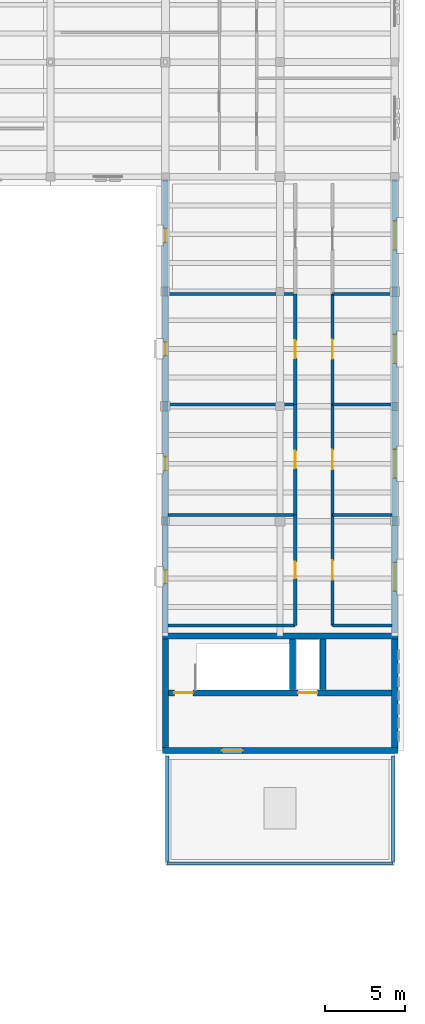
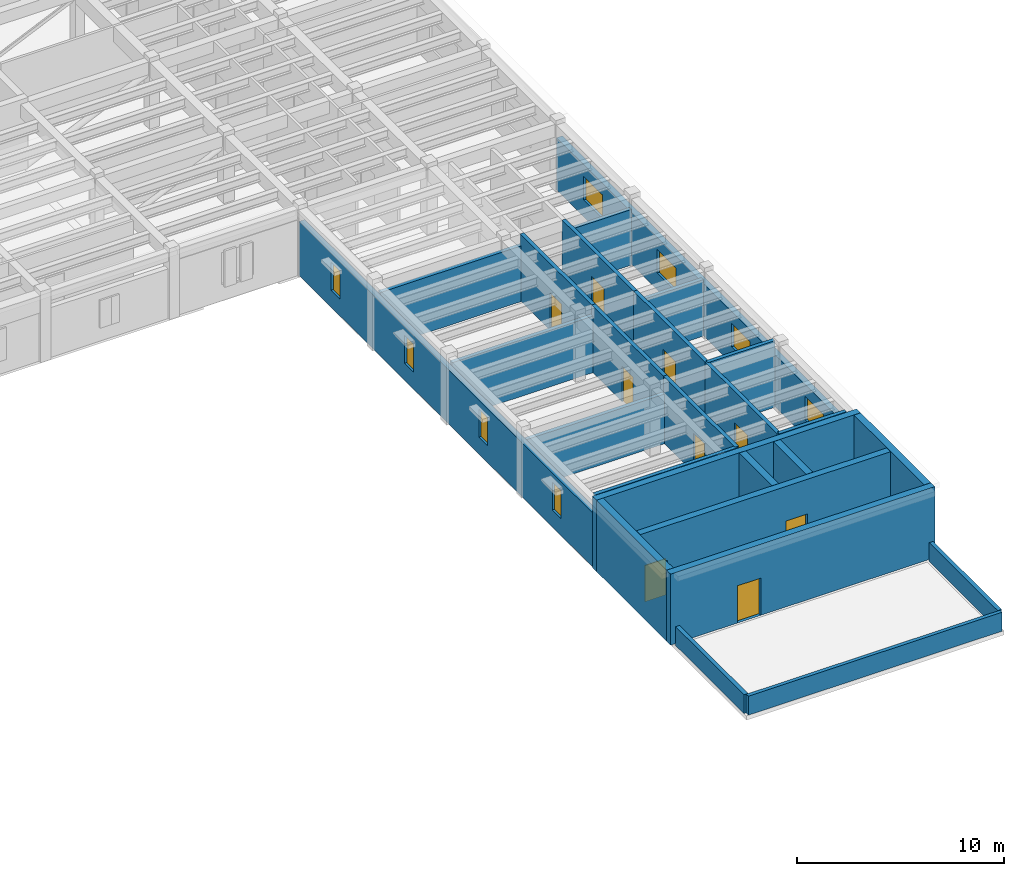
# One storey, part 17 of 27: 26 walls, 9 doors, 8 windows, 17 openings.
"""IFC4 building model written with IfcOpenShell, lengths in metres."""

import ifcopenshell
import ifcopenshell.guid

model = None  # the IFC model being written
_history = None  # IfcOwnerHistory: only IFC2X3 demands one
_inside = {}  # id of a spatial element -> (the spatial element, [elements in it])
_under = {}  # id of a project, library or spatial element -> (it, [spatial elements below it])
_declared = {}  # id of a project -> (the project, [libraries it declares])
_typed = {}  # id of a type object -> (the type object, [elements of that type])
_made_of = {}  # id of a material, layer set ... -> (it, [elements and type objects made of it])


def new_model(schema):
    """Start an empty IFC model of exactly this schema.

    Asked for "IFC4X3", IfcOpenShell would pick the latest addendum, in which some entities
    have other attributes; the version numbers below select the first issue.
    IFC2X3 requires an IfcOwnerHistory on every rooted entity: one is made here for all.
    """
    global model, _history
    if schema == "IFC4X3":
        model = ifcopenshell.file(schema_version=(4, 3, 0, 0))
    else:
        model = ifcopenshell.file(schema=schema)
    _inside.clear()
    _under.clear()
    _declared.clear()
    _typed.clear()
    _made_of.clear()
    _history = None
    if model.schema == "IFC2X3":
        org = make("IfcOrganization", Name="unknown")
        user = make(
            "IfcPersonAndOrganization",
            ThePerson=make("IfcPerson", FamilyName="unknown"),
            TheOrganization=org,
        )
        app = make(
            "IfcApplication",
            ApplicationDeveloper=org,
            Version="unknown",
            ApplicationFullName="unknown",
            ApplicationIdentifier="unknown",
        )
        _history = make(
            "IfcOwnerHistory",
            OwningUser=user,
            OwningApplication=app,
            ChangeAction="ADDED",
            CreationDate=0,
        )
    return model


def make(cls, **values):
    """One entity of the class cls with the attributes given. An attribute that is None is left unset."""
    return model.create_entity(
        cls, **{name: value for name, value in values.items() if value is not None}
    )


def rooted(cls, **values):
    """An entity with a GlobalId (a new one), such as an element, a storey or a relation."""
    return make(cls, GlobalId=ifcopenshell.guid.new(), OwnerHistory=_history, **values)


def si_unit(unit_type, name, prefix=None):
    """IfcSIUnit, for example si_unit("LENGTHUNIT", "METRE", prefix="MILLI")."""
    return make("IfcSIUnit", UnitType=unit_type, Prefix=prefix, Name=name)


def assignment(units):
    """IfcUnitAssignment: the units of a project."""
    return None if units is None else make("IfcUnitAssignment", Units=units)


def point(xyz):
    """IfcCartesianPoint."""
    return None if xyz is None else make("IfcCartesianPoint", Coordinates=xyz)


def direction(xyz):
    """IfcDirection."""
    return None if xyz is None else make("IfcDirection", DirectionRatios=xyz)


def frame(location, z_axis=None, x_axis=None):
    """IfcAxis2Placement3D, a coordinate frame: its origin and axes. An axis left out is left unset."""
    return make(
        "IfcAxis2Placement3D",
        Location=point(location),
        Axis=direction(z_axis),
        RefDirection=direction(x_axis),
    )


def frame_2d(location, x_axis=None):
    """IfcAxis2Placement2D, a coordinate frame in the plane: its origin and x axis."""
    return make(
        "IfcAxis2Placement2D", Location=point(location), RefDirection=direction(x_axis)
    )


def origin():
    """The frame at (0, 0, 0) with its axes left unset."""
    return frame((0.0, 0.0, 0.0))


def place(relative_to, where):
    """IfcLocalPlacement: puts the frame where relative to a parent placement (None: the world)."""
    return make(
        "IfcLocalPlacement", PlacementRelTo=relative_to, RelativePlacement=where
    )


def context(
    kind, dimensions, precision=None, world=None, true_north=None, identifier=None
):
    """IfcGeometricRepresentationContext, for example the 3D "Model" context."""
    return make(
        "IfcGeometricRepresentationContext",
        ContextIdentifier=identifier,
        ContextType=kind,
        CoordinateSpaceDimension=dimensions,
        Precision=precision,
        WorldCoordinateSystem=world,
        TrueNorth=true_north,
    )


def subcontext(parent, identifier, kind, view, scale=None):
    """IfcGeometricRepresentationSubContext, for example "Body" below "Model"."""
    return make(
        "IfcGeometricRepresentationSubContext",
        ContextIdentifier=identifier,
        ContextType=kind,
        ParentContext=parent,
        TargetScale=scale,
        TargetView=view,
    )


def project(units=None, contexts=None):
    """IfcProject with its units and contexts."""
    return rooted(
        "IfcProject",
        Name="project",
        RepresentationContexts=contexts,
        UnitsInContext=assignment(units),
    )


def spatial(cls, under=None, at=None, **own):
    """A site, building, storey or space (cls), placed at a placement, below another one or the project."""
    s = rooted(cls, ObjectPlacement=at, **own)
    if under is not None:
        _under.setdefault(under.id(), (under, []))[1].append(s)
    return s


def profile(cls, at=None, kind="AREA", **sizes):
    """A parametric profile (cls). Its sizes go by their IFC names, for example OverallWidth=200.0."""
    return make(cls, ProfileType=kind, Position=at, **sizes)


def rectangle(**sizes):
    """IfcRectangleProfileDef."""
    return profile("IfcRectangleProfileDef", **sizes)


def extrude(swept, where, along, depth):
    """IfcExtrudedAreaSolid: the profile swept, set in the frame where, extruded along a direction by depth."""
    return make(
        "IfcExtrudedAreaSolid",
        SweptArea=swept,
        Position=where,
        ExtrudedDirection=direction(along),
        Depth=depth,
    )


def shape(context_of_items, identifier, shape_type, items):
    """IfcShapeRepresentation: the items that make up one representation, for example the "Body"."""
    return make(
        "IfcShapeRepresentation",
        ContextOfItems=context_of_items,
        RepresentationIdentifier=identifier,
        RepresentationType=shape_type,
        Items=items,
    )


def material(Name=None, Category=None):
    """IfcMaterial."""
    return make("IfcMaterial", Name=Name, Category=Category)


def layer(
    of_material, thickness, ventilated=None, Name=None, Category=None, Priority=None
):
    """IfcMaterialLayer: one layer of a wall or slab, of a material (None: an air gap)."""
    return make(
        "IfcMaterialLayer",
        Material=of_material,
        LayerThickness=thickness,
        IsVentilated=ventilated,
        Name=Name,
        Category=Category,
        Priority=Priority,
    )


def layer_set(layers, Name=None):
    """IfcMaterialLayerSet."""
    return make("IfcMaterialLayerSet", MaterialLayers=layers, LayerSetName=Name)


def made_of(thing, what):
    """Note that an element or type object is made of a material, layer set ...; save() writes the relation."""
    if what is not None:
        _made_of.setdefault(what.id(), (what, []))[1].append(thing)
    return thing


def type_object(cls, material=None, **own):
    """A type object (cls), such as IfcWallType, which elements share."""
    return made_of(rooted(cls, **own), material)


def element(
    cls,
    number,
    at=None,
    inside=None,
    cuts=None,
    type_object=None,
    material=None,
    context=None,
    identifier="Body",
    shape_type=None,
    held_by="IfcProductDefinitionShape",
    body=None,
    shapes=None,
    **own,
):
    """One element of the class cls, such as IfcWall. Its Tag is "e" and its number.

    at: its placement. inside: the storey or other place that contains it. cuts: it is an
    opening in that element (IfcRelVoidsElement). A single representation is given by context,
    identifier, shape_type and body (its items); several are given by shapes. held_by: the class
    of the entity that holds the representations. save() writes the other relations.
    """
    e = rooted(cls, Tag="e%d" % number, ObjectPlacement=at, **own)
    if body is not None:
        shapes = [shape(context, identifier, shape_type, body)]
    if shapes is not None:
        e.Representation = make(held_by, Representations=shapes)
    if inside is not None:
        _inside.setdefault(inside.id(), (inside, []))[1].append(e)
    if cuts is not None:
        rooted(
            "IfcRelVoidsElement", RelatingBuildingElement=cuts, RelatedOpeningElement=e
        )
    if type_object is not None:
        _typed.setdefault(type_object.id(), (type_object, []))[1].append(e)
    return made_of(e, material)


def fill(opening, filler):
    """IfcRelFillsElement: the door or window that sits in an opening."""
    return rooted(
        "IfcRelFillsElement",
        RelatingOpeningElement=opening,
        RelatedBuildingElement=filler,
    )


def aggregate(whole, parts):
    """IfcRelAggregates: a whole, such as a stair, and the parts it consists of."""
    return rooted("IfcRelAggregates", RelatingObject=whole, RelatedObjects=parts)


def save(model, path):
    """Write the relations noted so far, then the file.

    IfcRelAggregates (storeys below a building ...), IfcRelContainedInSpatialStructure (elements
    in a storey), IfcRelDefinesByType, IfcRelAssociatesMaterial and IfcRelDeclares: one each for
    every whole, place, type object, material and project.
    """
    for whole, parts in _under.values():
        aggregate(whole, parts)
    for where, things in _inside.values():
        rooted(
            "IfcRelContainedInSpatialStructure",
            RelatedElements=things,
            RelatingStructure=where,
        )
    for kind, things in _typed.values():
        rooted("IfcRelDefinesByType", RelatedObjects=things, RelatingType=kind)
    for what, things in _made_of.values():
        rooted("IfcRelAssociatesMaterial", RelatedObjects=things, RelatingMaterial=what)
    for by, libraries in _declared.values():
        rooted("IfcRelDeclares", RelatingContext=by, RelatedDefinitions=libraries)
    model.write(path)


model = new_model("IFC4")

# Units and contexts
model_context = context("Model", 3, precision=1e-05, world=origin(), true_north=direction((0.0, 1.0)))
body_context = subcontext(model_context, "Body", "Model", "MODEL_VIEW")
ifc_project = project(units=[si_unit("LENGTHUNIT", "METRE"), si_unit("AREAUNIT", "SQUARE_METRE"), si_unit("VOLUMEUNIT", "CUBIC_METRE"), si_unit("PLANEANGLEUNIT", "RADIAN"), si_unit("MASSUNIT", "GRAM", prefix="KILO")], contexts=[model_context])

# Site, building, storey
site_placement = place(None, origin())
site = spatial("IfcSite", under=ifc_project, at=site_placement, CompositionType="ELEMENT")
building_placement = place(site_placement, origin())
building = spatial("IfcBuilding", under=site, at=building_placement, Name="Mithqara Police Headquarters", CompositionType="ELEMENT")
storey_placement = place(building_placement, frame((0.0, 0.0, 18.0)))
storey = spatial("IfcBuildingStorey", under=building, at=storey_placement, Name="L04", CompositionType="ELEMENT", Elevation=18.0)

# Wall, openings, windows
ifc_material_1 = material(Name="Limestone ashlar masonry, 45 MPa", Category="masonry")
ifc_layer_1 = layer(ifc_material_1, 0.320068359375, Name="Limestone ashlar masonry, 45 MPa")
ifc_layer_set_1 = layer_set([ifc_layer_1], Name="Limestone ashlar masonry, 45 MPa")
wall_type_1 = type_object("IfcWallType", Name="EXT WALL LIMESTONE320", PredefinedType="SOLIDWALL", material=ifc_layer_set_1)
wall_1_placement = place(storey_placement, frame((151.800048828125, 78.43994140625, 0.0), z_axis=(0.0, 0.0, 1.0), x_axis=(0.0, -1.0, 0.0)))
wall_1 = element("IfcWall", 1, at=wall_1_placement, inside=storey, type_object=wall_type_1, Name="L04 Exterior Wall 1.1", PredefinedType="SOLIDWALL", context=body_context, shape_type="SweptSolid", body=[
    extrude(rectangle(XDim=28.449951171875, YDim=0.320068359375, at=frame_2d((14.22509765625, 0.0))), origin(), (0.0, 0.0, 1.0), 3.18994140625),
])
opening_1_placement = place(wall_1_placement, frame((24.52001953125, 0.0, 1.0)))
opening_1 = element("IfcOpeningElement", 2, at=opening_1_placement, cuts=wall_1, Name="Opening W-02", PredefinedType="OPENING", context=body_context, shape_type="SweptSolid", body=[
    extrude(rectangle(XDim=0.85009765625, YDim=1.64990234375, at=frame_2d((0.425048828125, 0.824951171875))), frame((0.0, 0.169921875, 0.0), z_axis=(0.0, -1.0, 0.0), x_axis=(1.0, 0.0, 0.0)), (0.0, 0.0, 1.0), 0.340087890625),
])
opening_2_placement = place(wall_1_placement, frame((17.4150390625, 0.0, 1.0)))
opening_2 = element("IfcOpeningElement", 3, at=opening_2_placement, cuts=wall_1, Name="Opening W-02", PredefinedType="OPENING", context=body_context, shape_type="SweptSolid", body=[
    extrude(rectangle(XDim=0.85009765625, YDim=1.64990234375, at=frame_2d((0.425048828125, 0.824951171875))), frame((0.0, 0.169921875, 0.0), z_axis=(0.0, -1.0, 0.0), x_axis=(1.0, 0.0, 0.0)), (0.0, 0.0, 1.0), 0.340087890625),
])
opening_3_placement = place(wall_1_placement, frame((10.215087890625, 0.0, 1.0)))
opening_3 = element("IfcOpeningElement", 4, at=opening_3_placement, cuts=wall_1, Name="Opening W-02", PredefinedType="OPENING", context=body_context, shape_type="SweptSolid", body=[
    extrude(rectangle(XDim=0.85009765625, YDim=1.64990234375, at=frame_2d((0.425048828125, 0.824951171875))), frame((0.0, 0.169921875, 0.0), z_axis=(0.0, -1.0, 0.0), x_axis=(1.0, 0.0, 0.0)), (0.0, 0.0, 1.0), 0.340087890625),
])
opening_4_placement = place(wall_1_placement, frame((3.094970703125, 0.0, 1.0)))
opening_4 = element("IfcOpeningElement", 5, at=opening_4_placement, cuts=wall_1, Name="Opening W-02", PredefinedType="OPENING", context=body_context, shape_type="SweptSolid", body=[
    extrude(rectangle(XDim=0.85009765625, YDim=1.64990234375, at=frame_2d((0.425048828125, 0.824951171875))), frame((0.0, 0.169921875, 0.0), z_axis=(0.0, -1.0, 0.0), x_axis=(1.0, 0.0, 0.0)), (0.0, 0.0, 1.0), 0.340087890625),
])
ifc_material_2 = material(Name="Spectrally selective double low-e glass", Category="glass")
window_type_1 = type_object("IfcWindowType", Name="WINDOW 850X1650", PartitioningType="SINGLE_PANEL", PredefinedType="WINDOW", material=ifc_material_2)
window_1_placement = place(opening_1_placement, origin())
window_1 = element("IfcWindow", 6, at=window_1_placement, inside=storey, type_object=window_type_1, Name="L04 Deep-Set Punched Window 1.1", OverallHeight=1.64990234375, OverallWidth=0.85009765625, PartitioningType="SINGLE_PANEL", PredefinedType="WINDOW", context=body_context, shape_type="SweptSolid", body=[
    extrude(rectangle(XDim=0.85009765625, YDim=1.64990234375, at=frame_2d((0.425048828125, 0.824951171875))), frame((0.0, 0.030029296875, 0.0), z_axis=(0.0, -1.0, 0.0), x_axis=(1.0, 0.0, 0.0)), (0.0, 0.0, 1.0), 0.06005859375),
])
fill(opening_1, window_1)
window_2_placement = place(opening_2_placement, origin())
window_2 = element("IfcWindow", 7, at=window_2_placement, inside=storey, type_object=window_type_1, Name="L04 Deep-Set Punched Window 1.2", OverallHeight=1.64990234375, OverallWidth=0.85009765625, PartitioningType="SINGLE_PANEL", PredefinedType="WINDOW", context=body_context, shape_type="SweptSolid", body=[
    extrude(rectangle(XDim=0.85009765625, YDim=1.64990234375, at=frame_2d((0.425048828125, 0.824951171875))), frame((0.0, 0.030029296875, 0.0), z_axis=(0.0, -1.0, 0.0), x_axis=(1.0, 0.0, 0.0)), (0.0, 0.0, 1.0), 0.06005859375),
])
fill(opening_2, window_2)
window_3_placement = place(opening_3_placement, origin())
window_3 = element("IfcWindow", 8, at=window_3_placement, inside=storey, type_object=window_type_1, Name="L04 Deep-Set Punched Window 1.3", OverallHeight=1.64990234375, OverallWidth=0.85009765625, PartitioningType="SINGLE_PANEL", PredefinedType="WINDOW", context=body_context, shape_type="SweptSolid", body=[
    extrude(rectangle(XDim=0.85009765625, YDim=1.64990234375, at=frame_2d((0.425048828125, 0.824951171875))), frame((0.0, 0.030029296875, 0.0), z_axis=(0.0, -1.0, 0.0), x_axis=(1.0, 0.0, 0.0)), (0.0, 0.0, 1.0), 0.06005859375),
])
fill(opening_3, window_3)
window_4_placement = place(opening_4_placement, origin())
window_4 = element("IfcWindow", 9, at=window_4_placement, inside=storey, type_object=window_type_1, Name="L04 Deep-Set Punched Window 1.4", OverallHeight=1.64990234375, OverallWidth=0.85009765625, PartitioningType="SINGLE_PANEL", PredefinedType="WINDOW", context=body_context, shape_type="SweptSolid", body=[
    extrude(rectangle(XDim=0.85009765625, YDim=1.64990234375, at=frame_2d((0.425048828125, 0.824951171875))), frame((0.0, 0.030029296875, 0.0), z_axis=(0.0, -1.0, 0.0), x_axis=(1.0, 0.0, 0.0)), (0.0, 0.0, 1.0), 0.06005859375),
])
fill(opening_4, window_4)

wall_2_placement = place(storey_placement, frame((166.199951171875, 49.989990234375, 0.0), z_axis=(0.0, 0.0, 1.0), x_axis=(0.0, 1.0, 0.0)))
wall_2 = element("IfcWall", 10, at=wall_2_placement, inside=storey, type_object=wall_type_1, Name="L04 Exterior Wall 3.1", PredefinedType="SOLIDWALL", context=body_context, shape_type="SweptSolid", body=[
    extrude(rectangle(XDim=28.449951171875, YDim=0.320068359375, at=frame_2d((14.22509765625, 0.0))), origin(), (0.0, 0.0, 1.0), 3.090087890625),
])
opening_5_placement = place(wall_2_placement, frame((2.60498046875, 0.0, 1.0)))
opening_5 = element("IfcOpeningElement", 11, at=opening_5_placement, cuts=wall_2, Name="Opening W-31", PredefinedType="OPENING", context=body_context, shape_type="SweptSolid", body=[
    extrude(rectangle(XDim=1.800048828125, YDim=1.39990234375, at=frame_2d((0.89990234375, 0.699951171875))), frame((0.0, 0.169921875, 0.0), z_axis=(0.0, -1.0, 0.0), x_axis=(1.0, 0.0, 0.0)), (0.0, 0.0, 1.0), 0.340087890625),
])
opening_6_placement = place(wall_2_placement, frame((9.7099609375, 0.0, 1.0)))
opening_6 = element("IfcOpeningElement", 12, at=opening_6_placement, cuts=wall_2, Name="Opening W-31", PredefinedType="OPENING", context=body_context, shape_type="SweptSolid", body=[
    extrude(rectangle(XDim=1.800048828125, YDim=1.39990234375, at=frame_2d((0.89990234375, 0.699951171875))), frame((0.0, 0.169921875, 0.0), z_axis=(0.0, -1.0, 0.0), x_axis=(1.0, 0.0, 0.0)), (0.0, 0.0, 1.0), 0.340087890625),
])
opening_7_placement = place(wall_2_placement, frame((16.909912109375, 0.0, 1.0)))
opening_7 = element("IfcOpeningElement", 13, at=opening_7_placement, cuts=wall_2, Name="Opening W-31", PredefinedType="OPENING", context=body_context, shape_type="SweptSolid", body=[
    extrude(rectangle(XDim=1.800048828125, YDim=1.39990234375, at=frame_2d((0.89990234375, 0.699951171875))), frame((0.0, 0.169921875, 0.0), z_axis=(0.0, -1.0, 0.0), x_axis=(1.0, 0.0, 0.0)), (0.0, 0.0, 1.0), 0.340087890625),
])
opening_8_placement = place(wall_2_placement, frame((24.030029296875, 0.0, 1.0)))
opening_8 = element("IfcOpeningElement", 14, at=opening_8_placement, cuts=wall_2, Name="Opening W-31", PredefinedType="OPENING", context=body_context, shape_type="SweptSolid", body=[
    extrude(rectangle(XDim=1.800048828125, YDim=1.39990234375, at=frame_2d((0.89990234375, 0.699951171875))), frame((0.0, 0.169921875, 0.0), z_axis=(0.0, -1.0, 0.0), x_axis=(1.0, 0.0, 0.0)), (0.0, 0.0, 1.0), 0.340087890625),
])
window_type_2 = type_object("IfcWindowType", Name="WINDOW 1800X1400", PartitioningType="DOUBLE_PANEL_VERTICAL", PredefinedType="WINDOW", material=ifc_material_2)
window_5_placement = place(opening_5_placement, origin())
window_5 = element("IfcWindow", 15, at=window_5_placement, inside=storey, type_object=window_type_2, Name="L04 Deep-Set Punched Window 3.1", OverallHeight=1.39990234375, OverallWidth=1.800048828125, PartitioningType="SINGLE_PANEL", PredefinedType="WINDOW", context=body_context, shape_type="SweptSolid", body=[
    extrude(rectangle(XDim=1.800048828125, YDim=1.39990234375, at=frame_2d((0.89990234375, 0.699951171875))), frame((0.0, 0.030029296875, 0.0), z_axis=(0.0, -1.0, 0.0), x_axis=(1.0, 0.0, 0.0)), (0.0, 0.0, 1.0), 0.06005859375),
])
fill(opening_5, window_5)
window_6_placement = place(opening_6_placement, origin())
window_6 = element("IfcWindow", 16, at=window_6_placement, inside=storey, type_object=window_type_2, Name="L04 Deep-Set Punched Window 3.2", OverallHeight=1.39990234375, OverallWidth=1.800048828125, PartitioningType="SINGLE_PANEL", PredefinedType="WINDOW", context=body_context, shape_type="SweptSolid", body=[
    extrude(rectangle(XDim=1.800048828125, YDim=1.39990234375, at=frame_2d((0.89990234375, 0.699951171875))), frame((0.0, 0.030029296875, 0.0), z_axis=(0.0, -1.0, 0.0), x_axis=(1.0, 0.0, 0.0)), (0.0, 0.0, 1.0), 0.06005859375),
])
fill(opening_6, window_6)
window_7_placement = place(opening_7_placement, origin())
window_7 = element("IfcWindow", 17, at=window_7_placement, inside=storey, type_object=window_type_2, Name="L04 Deep-Set Punched Window 3.3", OverallHeight=1.39990234375, OverallWidth=1.800048828125, PartitioningType="SINGLE_PANEL", PredefinedType="WINDOW", context=body_context, shape_type="SweptSolid", body=[
    extrude(rectangle(XDim=1.800048828125, YDim=1.39990234375, at=frame_2d((0.89990234375, 0.699951171875))), frame((0.0, 0.030029296875, 0.0), z_axis=(0.0, -1.0, 0.0), x_axis=(1.0, 0.0, 0.0)), (0.0, 0.0, 1.0), 0.06005859375),
])
fill(opening_7, window_7)
window_8_placement = place(opening_8_placement, origin())
window_8 = element("IfcWindow", 18, at=window_8_placement, inside=storey, type_object=window_type_2, Name="L04 Deep-Set Punched Window 3.4", OverallHeight=1.39990234375, OverallWidth=1.800048828125, PartitioningType="SINGLE_PANEL", PredefinedType="WINDOW", context=body_context, shape_type="SweptSolid", body=[
    extrude(rectangle(XDim=1.800048828125, YDim=1.39990234375, at=frame_2d((0.89990234375, 0.699951171875))), frame((0.0, 0.030029296875, 0.0), z_axis=(0.0, -1.0, 0.0), x_axis=(1.0, 0.0, 0.0)), (0.0, 0.0, 1.0), 0.06005859375),
])
fill(opening_8, window_8)

# Walls
ifc_layer_2 = layer(ifc_material_1, 0.199951171875, Name="Limestone ashlar masonry, 45 MPa")
ifc_layer_set_2 = layer_set([ifc_layer_2], Name="Limestone ashlar masonry, 45 MPa")
wall_type_2 = type_object("IfcWallType", Name="PARAPET WALL 200", PredefinedType="PARAPET", material=ifc_layer_set_2)
wall_3_placement = place(storey_placement, frame((166.090087890625, 35.510009765625, 0.0), z_axis=(0.0, 0.0, 1.0), x_axis=(-1.0, 0.0, 0.0)))
element("IfcWall", 19, at=wall_3_placement, inside=storey, type_object=wall_type_2, Name="L04 Limestone Roof Parapet ROOF-L03-01-18", PredefinedType="PARAPET", context=body_context, shape_type="SweptSolid", body=[
    extrude(rectangle(XDim=14.18017578125, YDim=0.199951171875, at=frame_2d((7.090087890625, 0.0))), origin(), (0.0, 0.0, 1.0), 1.1201171875),
])
ifc_layer_3 = layer(ifc_material_1, 0.219970703125, Name="Limestone ashlar masonry, 45 MPa")
ifc_layer_set_3 = layer_set([ifc_layer_3], Name="Limestone ashlar masonry, 45 MPa")
wall_type_3 = type_object("IfcWallType", Name="PARAPET WALL 220", PredefinedType="PARAPET", material=ifc_layer_set_3)
for number, where, z_axis, x_axis, name in (
    (20, (166.090087890625, 42.260009765625, 0.0), (0.0, 0.0, 1.0), (0.0, -1.0, 0.0), "L04 Limestone Roof Parapet ROOF-L03-01-17"),
    (21, (151.909912109375, 35.6298828125, 0.0), (0.0, 0.0, 1.0), (0.0, 1.0, 0.0), "L04 Limestone Roof Parapet ROOF-L03-01-19"),
):
    element("IfcWall", number, at=place(storey_placement, frame(where, z_axis=z_axis, x_axis=x_axis)), inside=storey, type_object=wall_type_3, Name=name, PredefinedType="PARAPET", context=body_context, shape_type="SweptSolid", body=[
        extrude(rectangle(XDim=6.630126953125, YDim=0.219970703125, at=frame_2d((3.31494140625, 0.0))), origin(), (0.0, 0.0, 1.0), 1.1201171875),
    ])
ifc_material_3 = material(Name="Concrete C40/50", Category="concrete")
ifc_layer_4 = layer(ifc_material_3, 0.2099609375, Name="Concrete C40/50")
ifc_layer_set_4 = layer_set([ifc_layer_4], Name="Concrete C40/50")
wall_type_4 = type_object("IfcWallType", Name="PART WALL 210", PredefinedType="PARTITIONING", material=ifc_layer_set_4)
wall_4_placement = place(storey_placement, frame((151.97998046875, 50.449951171875, 0.0), z_axis=(0.0, 0.0, 1.0), x_axis=(1.0, 0.0, 0.0)))
element("IfcWall", 22, at=wall_4_placement, inside=storey, type_object=wall_type_4, Name="L04 Partition End Closure E0", PredefinedType="PARTITIONING", context=body_context, shape_type="SweptSolid", body=[
    extrude(rectangle(XDim=7.969970703125, YDim=0.2099609375, at=frame_2d((3.98486328125, 0.0))), origin(), (0.0, 0.0, 1.0), 3.93994140625),
])

# Wall, opening, door
wall_5_placement = place(storey_placement, frame((159.949951171875, 50.449951171875, 0.0), z_axis=(0.0, 0.0, 1.0), x_axis=(0.0, 1.0, 0.0)))
wall_5 = element("IfcWall", 23, at=wall_5_placement, inside=storey, type_object=wall_type_4, Name="L04 Corridor Wall Forensic Laboratory", PredefinedType="PARTITIONING", context=body_context, shape_type="SweptSolid", body=[
    extrude(rectangle(XDim=6.93310546875, YDim=0.2099609375, at=frame_2d((3.466552734375, 0.0))), origin(), (0.0, 0.0, 1.0), 3.93994140625),
])
opening_9_placement = place(wall_5_placement, frame((2.946533203125, 0.0, 0.0)))
opening_9 = element("IfcOpeningElement", 24, at=opening_9_placement, cuts=wall_5, Name="Opening D-09", PredefinedType="OPENING", context=body_context, shape_type="SweptSolid", body=[
    extrude(rectangle(XDim=1.0400390625, YDim=2.35009765625, at=frame_2d((0.52001953125, 1.175048828125))), frame((0.0, 0.114990234375, 0.0), z_axis=(0.0, -1.0, 0.0), x_axis=(1.0, 0.0, 0.0)), (0.0, 0.0, 1.0), 0.22998046875),
])
ifc_material_4 = material(Name="Acoustic solid-core timber leaf", Category="wood")
door_type_1 = type_object("IfcDoorType", Name="INT DOOR 1040X2350", OperationType="NOTDEFINED", PredefinedType="DOOR", material=ifc_material_4)
door_1_placement = place(opening_9_placement, frame((1.0400390625, 0.0, 0.0), z_axis=(0.0, 0.0, 1.0), x_axis=(-1.0, 0.0, 0.0)))
door_1 = element("IfcDoor", 25, at=door_1_placement, inside=storey, type_object=door_type_1, Name="Forensic Laboratory Entry Door", OperationType="SINGLE_SWING_RIGHT", OverallHeight=2.35009765625, OverallWidth=1.0400390625, PredefinedType="DOOR", context=body_context, shape_type="SweptSolid", body=[
    extrude(rectangle(XDim=1.0400390625, YDim=2.35009765625, at=frame_2d((0.52001953125, 1.175048828125))), frame((0.0, 0.02490234375, 0.0), z_axis=(0.0, -1.0, 0.0), x_axis=(1.0, 0.0, 0.0)), (0.0, 0.0, 1.0), 0.050048828125),
])
fill(opening_9, door_1)

# Wall
wall_6_placement = place(storey_placement, frame((151.97998046875, 57.383056640625, 0.0), z_axis=(0.0, 0.0, 1.0), x_axis=(1.0, 0.0, 0.0)))
element("IfcWall", 26, at=wall_6_placement, inside=storey, type_object=wall_type_4, Name="L04 Room Partition Forensic Laboratory", PredefinedType="PARTITIONING", context=body_context, shape_type="SweptSolid", body=[
    extrude(rectangle(XDim=7.969970703125, YDim=0.2099609375, at=frame_2d((3.98486328125, 0.0))), origin(), (0.0, 0.0, 1.0), 2.93994140625),
])

# Wall, opening, door
wall_7_placement = place(storey_placement, frame((159.949951171875, 57.383056640625, 0.0), z_axis=(0.0, 0.0, 1.0), x_axis=(0.0, 1.0, 0.0)))
wall_7 = element("IfcWall", 27, at=wall_7_placement, inside=storey, type_object=wall_type_4, Name="L04 Corridor Wall Forensic DNA Laboratory", PredefinedType="PARTITIONING", context=body_context, shape_type="SweptSolid", body=[
    extrude(rectangle(XDim=6.931884765625, YDim=0.2099609375, at=frame_2d((3.4658203125, 0.0))), origin(), (0.0, 0.0, 1.0), 3.93994140625),
])
opening_10_placement = place(wall_7_placement, frame((2.916015625, 0.0, 0.0)))
opening_10 = element("IfcOpeningElement", 28, at=opening_10_placement, cuts=wall_7, Name="Opening D-10", PredefinedType="OPENING", context=body_context, shape_type="SweptSolid", body=[
    extrude(rectangle(XDim=1.10009765625, YDim=2.10009765625, at=frame_2d((0.550048828125, 1.050048828125))), frame((0.0, 0.114990234375, 0.0), z_axis=(0.0, -1.0, 0.0), x_axis=(1.0, 0.0, 0.0)), (0.0, 0.0, 1.0), 0.22998046875),
])
door_type_2 = type_object("IfcDoorType", Name="INT DOOR 1100X2100", OperationType="NOTDEFINED", PredefinedType="DOOR", material=ifc_material_4)
door_2_placement = place(opening_10_placement, frame((1.10009765625, 0.0, 0.0), z_axis=(0.0, 0.0, 1.0), x_axis=(-1.0, 0.0, 0.0)))
door_2 = element("IfcDoor", 29, at=door_2_placement, inside=storey, type_object=door_type_2, Name="Forensic DNA Laboratory Entry Door", OperationType="SINGLE_SWING_LEFT", OverallHeight=2.10009765625, OverallWidth=1.10009765625, PredefinedType="DOOR", context=body_context, shape_type="SweptSolid", body=[
    extrude(rectangle(XDim=1.10009765625, YDim=2.10009765625, at=frame_2d((0.550048828125, 1.050048828125))), frame((0.0, 0.02490234375, 0.0), z_axis=(0.0, -1.0, 0.0), x_axis=(1.0, 0.0, 0.0)), (0.0, 0.0, 1.0), 0.050048828125),
])
fill(opening_10, door_2)

# Wall
wall_8_placement = place(storey_placement, frame((151.97998046875, 64.31494140625, 0.0), z_axis=(0.0, 0.0, 1.0), x_axis=(1.0, 0.0, 0.0)))
element("IfcWall", 30, at=wall_8_placement, inside=storey, type_object=wall_type_4, Name="L04 Room Partition Forensic DNA Laboratory", PredefinedType="PARTITIONING", context=body_context, shape_type="SweptSolid", body=[
    extrude(rectangle(XDim=7.969970703125, YDim=0.2099609375, at=frame_2d((3.98486328125, 0.0))), origin(), (0.0, 0.0, 1.0), 3.340087890625),
])

# Wall, opening, door
wall_9_placement = place(storey_placement, frame((159.949951171875, 64.31494140625, 0.0), z_axis=(0.0, 0.0, 1.0), x_axis=(0.0, 1.0, 0.0)))
wall_9 = element("IfcWall", 31, at=wall_9_placement, inside=storey, type_object=wall_type_4, Name="L04 Corridor Wall Trace Evidence Laboratory", PredefinedType="PARTITIONING", context=body_context, shape_type="SweptSolid", body=[
    extrude(rectangle(XDim=6.93310546875, YDim=0.2099609375, at=frame_2d((3.466552734375, 0.0))), origin(), (0.0, 0.0, 1.0), 3.93994140625),
])
opening_11_placement = place(wall_9_placement, frame((2.91650390625, 0.0, 0.0)))
opening_11 = element("IfcOpeningElement", 32, at=opening_11_placement, cuts=wall_9, Name="Opening D-11", PredefinedType="OPENING", context=body_context, shape_type="SweptSolid", body=[
    extrude(rectangle(XDim=1.10009765625, YDim=2.219970703125, at=frame_2d((0.550048828125, 1.10986328125))), frame((0.0, 0.114990234375, 0.0), z_axis=(0.0, -1.0, 0.0), x_axis=(1.0, 0.0, 0.0)), (0.0, 0.0, 1.0), 0.22998046875),
])
door_type_3 = type_object("IfcDoorType", Name="INT DOOR 1100X2220", OperationType="NOTDEFINED", PredefinedType="DOOR", material=ifc_material_4)
door_3_placement = place(opening_11_placement, frame((1.10009765625, 0.0, 0.0), z_axis=(0.0, 0.0, 1.0), x_axis=(-1.0, 0.0, 0.0)))
door_3 = element("IfcDoor", 33, at=door_3_placement, inside=storey, type_object=door_type_3, Name="Trace Evidence Laboratory Entry Door", OperationType="SINGLE_SWING_RIGHT", OverallHeight=2.219970703125, OverallWidth=1.10009765625, PredefinedType="DOOR", context=body_context, shape_type="SweptSolid", body=[
    extrude(rectangle(XDim=1.10009765625, YDim=2.219970703125, at=frame_2d((0.550048828125, 1.10986328125))), frame((0.0, 0.02490234375, 0.0), z_axis=(0.0, -1.0, 0.0), x_axis=(1.0, 0.0, 0.0)), (0.0, 0.0, 1.0), 0.050048828125),
])
fill(opening_11, door_3)

# Walls
wall_10_placement = place(storey_placement, frame((151.97998046875, 71.248046875, 0.0), z_axis=(0.0, 0.0, 1.0), x_axis=(1.0, 0.0, 0.0)))
element("IfcWall", 34, at=wall_10_placement, inside=storey, type_object=wall_type_4, Name="L04 Room Partition Trace Evidence Laboratory", PredefinedType="PARTITIONING", context=body_context, shape_type="SweptSolid", body=[
    extrude(rectangle(XDim=7.969970703125, YDim=0.2099609375, at=frame_2d((3.98486328125, 0.0))), origin(), (0.0, 0.0, 1.0), 3.2900390625),
])
wall_11_placement = place(storey_placement, frame((162.2900390625, 50.449951171875, 0.0), z_axis=(0.0, 0.0, 1.0), x_axis=(1.0, 0.0, 0.0)))
element("IfcWall", 35, at=wall_11_placement, inside=storey, type_object=wall_type_4, Name="L04 Partition End Closure E0", PredefinedType="PARTITIONING", context=body_context, shape_type="SweptSolid", body=[
    extrude(rectangle(XDim=3.72998046875, YDim=0.2099609375, at=frame_2d((1.864990234375, 0.0))), origin(), (0.0, 0.0, 1.0), 3.93994140625),
])

# Wall, opening, door
wall_12_placement = place(storey_placement, frame((162.2900390625, 50.449951171875, 0.0), z_axis=(0.0, 0.0, 1.0), x_axis=(0.0, 1.0, 0.0)))
wall_12 = element("IfcWall", 36, at=wall_12_placement, inside=storey, type_object=wall_type_4, Name="L04 Corridor Wall Forensic Laboratory", PredefinedType="PARTITIONING", context=body_context, shape_type="SweptSolid", body=[
    extrude(rectangle(XDim=6.93310546875, YDim=0.2099609375, at=frame_2d((3.466552734375, 0.0))), origin(), (0.0, 0.0, 1.0), 3.93994140625),
])
opening_12_placement = place(wall_12_placement, frame((2.8564453125, 0.0, 0.0)))
opening_12 = element("IfcOpeningElement", 37, at=opening_12_placement, cuts=wall_12, Name="Opening D-13", PredefinedType="OPENING", context=body_context, shape_type="SweptSolid", body=[
    extrude(rectangle(XDim=1.219970703125, YDim=2.10009765625, at=frame_2d((0.60986328125, 1.050048828125))), frame((0.0, 0.114990234375, 0.0), z_axis=(0.0, -1.0, 0.0), x_axis=(1.0, 0.0, 0.0)), (0.0, 0.0, 1.0), 0.22998046875),
])
door_type_4 = type_object("IfcDoorType", Name="INT DOOR 1220X2100", OperationType="NOTDEFINED", PredefinedType="DOOR", material=ifc_material_4)
door_4_placement = place(opening_12_placement, origin())
door_4 = element("IfcDoor", 38, at=door_4_placement, inside=storey, type_object=door_type_4, Name="Forensic Laboratory Entry Door", OperationType="SINGLE_SWING_RIGHT", OverallHeight=2.10009765625, OverallWidth=1.219970703125, PredefinedType="DOOR", context=body_context, shape_type="SweptSolid", body=[
    extrude(rectangle(XDim=1.219970703125, YDim=2.10009765625, at=frame_2d((0.60986328125, 1.050048828125))), frame((0.0, 0.02490234375, 0.0), z_axis=(0.0, -1.0, 0.0), x_axis=(1.0, 0.0, 0.0)), (0.0, 0.0, 1.0), 0.050048828125),
])
fill(opening_12, door_4)

# Wall
wall_13_placement = place(storey_placement, frame((162.2900390625, 57.383056640625, 0.0), z_axis=(0.0, 0.0, 1.0), x_axis=(1.0, 0.0, 0.0)))
element("IfcWall", 39, at=wall_13_placement, inside=storey, type_object=wall_type_4, Name="L04 Room Partition Forensic Laboratory", PredefinedType="PARTITIONING", context=body_context, shape_type="SweptSolid", body=[
    extrude(rectangle(XDim=3.72998046875, YDim=0.2099609375, at=frame_2d((1.864990234375, 0.0))), origin(), (0.0, 0.0, 1.0), 3.93994140625),
])

# Wall, opening, door
wall_14_placement = place(storey_placement, frame((162.2900390625, 57.383056640625, 0.0), z_axis=(0.0, 0.0, 1.0), x_axis=(0.0, 1.0, 0.0)))
wall_14 = element("IfcWall", 40, at=wall_14_placement, inside=storey, type_object=wall_type_4, Name="L04 Corridor Wall Forensic DNA Laboratory", PredefinedType="PARTITIONING", context=body_context, shape_type="SweptSolid", body=[
    extrude(rectangle(XDim=6.931884765625, YDim=0.2099609375, at=frame_2d((3.4658203125, 0.0))), origin(), (0.0, 0.0, 1.0), 3.93994140625),
])
opening_13_placement = place(wall_14_placement, frame((2.85595703125, 0.0, 0.0)))
opening_13 = element("IfcOpeningElement", 41, at=opening_13_placement, cuts=wall_14, Name="Opening D-14", PredefinedType="OPENING", context=body_context, shape_type="SweptSolid", body=[
    extrude(rectangle(XDim=1.219970703125, YDim=2.219970703125, at=frame_2d((0.60986328125, 1.10986328125))), frame((0.0, 0.114990234375, 0.0), z_axis=(0.0, -1.0, 0.0), x_axis=(1.0, 0.0, 0.0)), (0.0, 0.0, 1.0), 0.22998046875),
])
door_type_5 = type_object("IfcDoorType", Name="INT DOOR 1220X2220", OperationType="NOTDEFINED", PredefinedType="DOOR", material=ifc_material_4)
door_5_placement = place(opening_13_placement, origin())
door_5 = element("IfcDoor", 42, at=door_5_placement, inside=storey, type_object=door_type_5, Name="Forensic DNA Laboratory Entry Door", OperationType="SINGLE_SWING_LEFT", OverallHeight=2.219970703125, OverallWidth=1.219970703125, PredefinedType="DOOR", context=body_context, shape_type="SweptSolid", body=[
    extrude(rectangle(XDim=1.219970703125, YDim=2.219970703125, at=frame_2d((0.60986328125, 1.10986328125))), frame((0.0, 0.02490234375, 0.0), z_axis=(0.0, -1.0, 0.0), x_axis=(1.0, 0.0, 0.0)), (0.0, 0.0, 1.0), 0.050048828125),
])
fill(opening_13, door_5)

# Wall
wall_15_placement = place(storey_placement, frame((162.2900390625, 64.31494140625, 0.0), z_axis=(0.0, 0.0, 1.0), x_axis=(1.0, 0.0, 0.0)))
element("IfcWall", 43, at=wall_15_placement, inside=storey, type_object=wall_type_4, Name="L04 Room Partition Forensic DNA Laboratory", PredefinedType="PARTITIONING", context=body_context, shape_type="SweptSolid", body=[
    extrude(rectangle(XDim=3.72998046875, YDim=0.2099609375, at=frame_2d((1.864990234375, 0.0))), origin(), (0.0, 0.0, 1.0), 3.340087890625),
])

# Wall, opening, door
wall_16_placement = place(storey_placement, frame((162.2900390625, 64.31494140625, 0.0), z_axis=(0.0, 0.0, 1.0), x_axis=(0.0, 1.0, 0.0)))
wall_16 = element("IfcWall", 44, at=wall_16_placement, inside=storey, type_object=wall_type_4, Name="L04 Corridor Wall Trace Evidence Laboratory", PredefinedType="PARTITIONING", context=body_context, shape_type="SweptSolid", body=[
    extrude(rectangle(XDim=6.93310546875, YDim=0.2099609375, at=frame_2d((3.466552734375, 0.0))), origin(), (0.0, 0.0, 1.0), 3.93994140625),
])
opening_14_placement = place(wall_16_placement, frame((2.8564453125, 0.0, 0.0)))
opening_14 = element("IfcOpeningElement", 45, at=opening_14_placement, cuts=wall_16, Name="Opening D-15", PredefinedType="OPENING", context=body_context, shape_type="SweptSolid", body=[
    extrude(rectangle(XDim=1.219970703125, YDim=2.35009765625, at=frame_2d((0.60986328125, 1.175048828125))), frame((0.0, 0.114990234375, 0.0), z_axis=(0.0, -1.0, 0.0), x_axis=(1.0, 0.0, 0.0)), (0.0, 0.0, 1.0), 0.22998046875),
])
door_type_6 = type_object("IfcDoorType", Name="INT DOOR 1220X2350", OperationType="NOTDEFINED", PredefinedType="DOOR", material=ifc_material_4)
door_6_placement = place(opening_14_placement, origin())
door_6 = element("IfcDoor", 46, at=door_6_placement, inside=storey, type_object=door_type_6, Name="Trace Evidence Laboratory Entry Door", OperationType="SINGLE_SWING_RIGHT", OverallHeight=2.35009765625, OverallWidth=1.219970703125, PredefinedType="DOOR", context=body_context, shape_type="SweptSolid", body=[
    extrude(rectangle(XDim=1.219970703125, YDim=2.35009765625, at=frame_2d((0.60986328125, 1.175048828125))), frame((0.0, 0.02490234375, 0.0), z_axis=(0.0, -1.0, 0.0), x_axis=(1.0, 0.0, 0.0)), (0.0, 0.0, 1.0), 0.050048828125),
])
fill(opening_14, door_6)

# Walls
wall_17_placement = place(storey_placement, frame((162.2900390625, 71.248046875, 0.0), z_axis=(0.0, 0.0, 1.0), x_axis=(1.0, 0.0, 0.0)))
element("IfcWall", 47, at=wall_17_placement, inside=storey, type_object=wall_type_4, Name="L04 Room Partition Trace Evidence Laboratory", PredefinedType="PARTITIONING", context=body_context, shape_type="SweptSolid", body=[
    extrude(rectangle(XDim=3.72998046875, YDim=0.2099609375, at=frame_2d((1.864990234375, 0.0))), origin(), (0.0, 0.0, 1.0), 3.2900390625),
])
ifc_material_5 = material(Name="Concrete C50/60", Category="concrete")
ifc_layer_5 = layer(ifc_material_5, 0.3798828125, Name="Concrete C50/60")
ifc_layer_set_5 = layer_set([ifc_layer_5], Name="Concrete C50/60")
wall_type_5 = type_object("IfcWallType", Name="SHEAR WALL 380", PredefinedType="SHEAR", material=ifc_layer_set_5)
wall_18_placement = place(storey_placement, frame((151.610107421875, 49.800048828125, 0.0), z_axis=(0.0, 0.0, 1.0), x_axis=(1.0, 0.0, 0.0)))
element("IfcWall", 48, at=wall_18_placement, inside=storey, type_object=wall_type_5, Name="Core C4 Forensics East Shear Wall N", PredefinedType="SHEAR", context=body_context, shape_type="SweptSolid", body=[
    extrude(rectangle(XDim=14.77978515625, YDim=0.3798828125, at=frame_2d((7.389892578125, 0.0))), origin(), (0.0, 0.0, 1.0), 4.199951171875),
])

# Wall, opening, door
wall_19_placement = place(storey_placement, frame((151.610107421875, 42.60009765625, 0.0), z_axis=(0.0, 0.0, 1.0), x_axis=(1.0, 0.0, 0.0)))
wall_19 = element("IfcWall", 49, at=wall_19_placement, inside=storey, type_object=wall_type_5, Name="Core C4 Forensics East Shear Wall S", PredefinedType="SHEAR", context=body_context, shape_type="SweptSolid", body=[
    extrude(rectangle(XDim=14.77978515625, YDim=0.3798828125, at=frame_2d((7.389892578125, 0.0))), origin(), (0.0, 0.0, 1.0), 4.199951171875),
])
opening_15_placement = place(wall_19_placement, frame((3.739990234375, 0.0, 0.0)))
opening_15 = element("IfcOpeningElement", 50, at=opening_15_placement, cuts=wall_19, Name="Opening FD-02", PredefinedType="OPENING", context=body_context, shape_type="SweptSolid", body=[
    extrude(rectangle(XDim=1.300048828125, YDim=2.199951171875, at=frame_2d((0.64990234375, 1.10009765625))), frame((0.0, 0.199951171875, 0.0), z_axis=(0.0, -1.0, 0.0), x_axis=(1.0, 0.0, 0.0)), (0.0, 0.0, 1.0), 0.39990234375),
])
ifc_material_6 = material(Name="Steel S355JR", Category="steel")
door_type_7 = type_object("IfcDoorType", Name="CORE DOOR LOBBY 1300X2200", OperationType="NOTDEFINED", PredefinedType="DOOR", material=ifc_material_6)
door_7_placement = place(opening_15_placement, frame((1.300048828125, 0.0, 0.0), z_axis=(0.0, 0.0, 1.0), x_axis=(-1.0, 0.0, 0.0)))
door_7 = element("IfcDoor", 51, at=door_7_placement, inside=storey, type_object=door_type_7, Name="Core C4 Forensics East Lobby Fire Door L04", OperationType="SINGLE_SWING_RIGHT", OverallHeight=2.199951171875, OverallWidth=1.300048828125, PredefinedType="DOOR", context=body_context, shape_type="SweptSolid", body=[
    extrude(rectangle(XDim=1.300048828125, YDim=2.199951171875, at=frame_2d((0.64990234375, 1.10009765625))), frame((0.0, 0.02490234375, 0.0), z_axis=(0.0, -1.0, 0.0), x_axis=(1.0, 0.0, 0.0)), (0.0, 0.0, 1.0), 0.050048828125),
])
fill(opening_15, door_7)

# Walls
for number, where, z_axis, x_axis, name in (
    (52, (151.800048828125, 42.800048828125, 0.0), (0.0, 0.0, 1.0), (0.0, 1.0, 0.0), "Core C4 Forensics East Shear Wall W"),
    (53, (166.199951171875, 42.800048828125, 0.0), (0.0, 0.0, 1.0), (0.0, 1.0, 0.0), "Core C4 Forensics East Shear Wall E"),
):
    element("IfcWall", number, at=place(storey_placement, frame(where, z_axis=z_axis, x_axis=x_axis)), inside=storey, type_object=wall_type_5, Name=name, PredefinedType="SHEAR", context=body_context, shape_type="SweptSolid", body=[
        extrude(rectangle(XDim=6.800048828125, YDim=0.3798828125, at=frame_2d((3.39990234375, 0.0))), origin(), (0.0, 0.0, 1.0), 4.199951171875),
    ])

# Wall, openings, doors
wall_20_placement = place(storey_placement, frame((152.0, 46.219970703125, 0.0), z_axis=(0.0, 0.0, 1.0), x_axis=(1.0, 0.0, 0.0)))
wall_20 = element("IfcWall", 54, at=wall_20_placement, inside=storey, type_object=wall_type_5, Name="Core C4 Forensics East Shear Wall M", PredefinedType="SHEAR", context=body_context, shape_type="SweptSolid", body=[
    extrude(rectangle(XDim=14.0, YDim=0.3798828125, at=frame_2d((7.0, 0.0))), origin(), (0.0, 0.0, 1.0), 4.199951171875),
])
opening_16_placement = place(wall_20_placement, frame((8.139892578125, 0.0, 0.0)))
opening_16 = element("IfcOpeningElement", 55, at=opening_16_placement, cuts=wall_20, Name="Opening LD-02", PredefinedType="OPENING", context=body_context, shape_type="SweptSolid", body=[
    extrude(rectangle(XDim=1.199951171875, YDim=2.14990234375, at=frame_2d((0.60009765625, 1.074951171875))), frame((0.0, 0.199951171875, 0.0), z_axis=(0.0, -1.0, 0.0), x_axis=(1.0, 0.0, 0.0)), (0.0, 0.0, 1.0), 0.39990234375),
])
opening_17_placement = place(wall_20_placement, frame((0.375, 0.0, 0.0)))
opening_17 = element("IfcOpeningElement", 56, at=opening_17_placement, cuts=wall_20, Name="Opening FD-01", PredefinedType="OPENING", context=body_context, shape_type="SweptSolid", body=[
    extrude(rectangle(XDim=1.14990234375, YDim=2.14990234375, at=frame_2d((0.574951171875, 1.074951171875))), frame((0.0, 0.199951171875, 0.0), z_axis=(0.0, -1.0, 0.0), x_axis=(1.0, 0.0, 0.0)), (0.0, 0.0, 1.0), 0.39990234375),
])
door_type_8 = type_object("IfcDoorType", Name="CORE DOOR STAIR 1150X2150", OperationType="NOTDEFINED", PredefinedType="DOOR", material=ifc_material_6)
door_8_placement = place(opening_17_placement, origin())
door_8 = element("IfcDoor", 57, at=door_8_placement, inside=storey, type_object=door_type_8, Name="Stair ST-04 Fire Door L04", OperationType="SINGLE_SWING_RIGHT", OverallHeight=2.14990234375, OverallWidth=1.14990234375, PredefinedType="DOOR", context=body_context, shape_type="SweptSolid", body=[
    extrude(rectangle(XDim=1.14990234375, YDim=2.14990234375, at=frame_2d((0.574951171875, 1.074951171875))), frame((0.0, 0.02490234375, 0.0), z_axis=(0.0, -1.0, 0.0), x_axis=(1.0, 0.0, 0.0)), (0.0, 0.0, 1.0), 0.050048828125),
])
fill(opening_17, door_8)
door_type_9 = type_object("IfcDoorType", Name="LIFT DOOR 1200X2150", OperationType="DOUBLE_DOOR_SLIDING", PredefinedType="DOOR", material=ifc_material_6)
door_9_placement = place(opening_16_placement, frame((1.199951171875, 0.0, 0.0), z_axis=(0.0, 0.0, 1.0), x_axis=(-1.0, 0.0, 0.0)))
door_9 = element("IfcDoor", 58, at=door_9_placement, inside=storey, type_object=door_type_9, Name="Lift Landing Door LP-06-L04", OperationType="DOUBLE_DOOR_SLIDING", OverallHeight=2.14990234375, OverallWidth=1.199951171875, PredefinedType="DOOR", context=body_context, shape_type="SweptSolid", body=[
    extrude(rectangle(XDim=1.199951171875, YDim=2.14990234375, at=frame_2d((0.60009765625, 1.074951171875))), frame((0.0, 0.02490234375, 0.0), z_axis=(0.0, -1.0, 0.0), x_axis=(1.0, 0.0, 0.0)), (0.0, 0.0, 1.0), 0.050048828125),
])
fill(opening_16, door_9)

# Walls
for number, where, z_axis, x_axis, name in (
    (59, (159.780029296875, 46.419921875, 0.0), (0.0, 0.0, 1.0), (0.0, 1.0, 0.0), "Core C4 Forensics East Shear Wall X"),
    (60, (161.699951171875, 46.419921875, 0.0), (0.0, 0.0, 1.0), (0.0, 1.0, 0.0), "Core C4 Forensics East Shear Wall L1"),
):
    element("IfcWall", number, at=place(storey_placement, frame(where, z_axis=z_axis, x_axis=x_axis)), inside=storey, type_object=wall_type_5, Name=name, PredefinedType="SHEAR", context=body_context, shape_type="SweptSolid", body=[
        extrude(rectangle(XDim=3.18017578125, YDim=0.3798828125, at=frame_2d((1.590087890625, 0.0))), origin(), (0.0, 0.0, 1.0), 4.199951171875),
    ])

save(model, "model.ifc")
